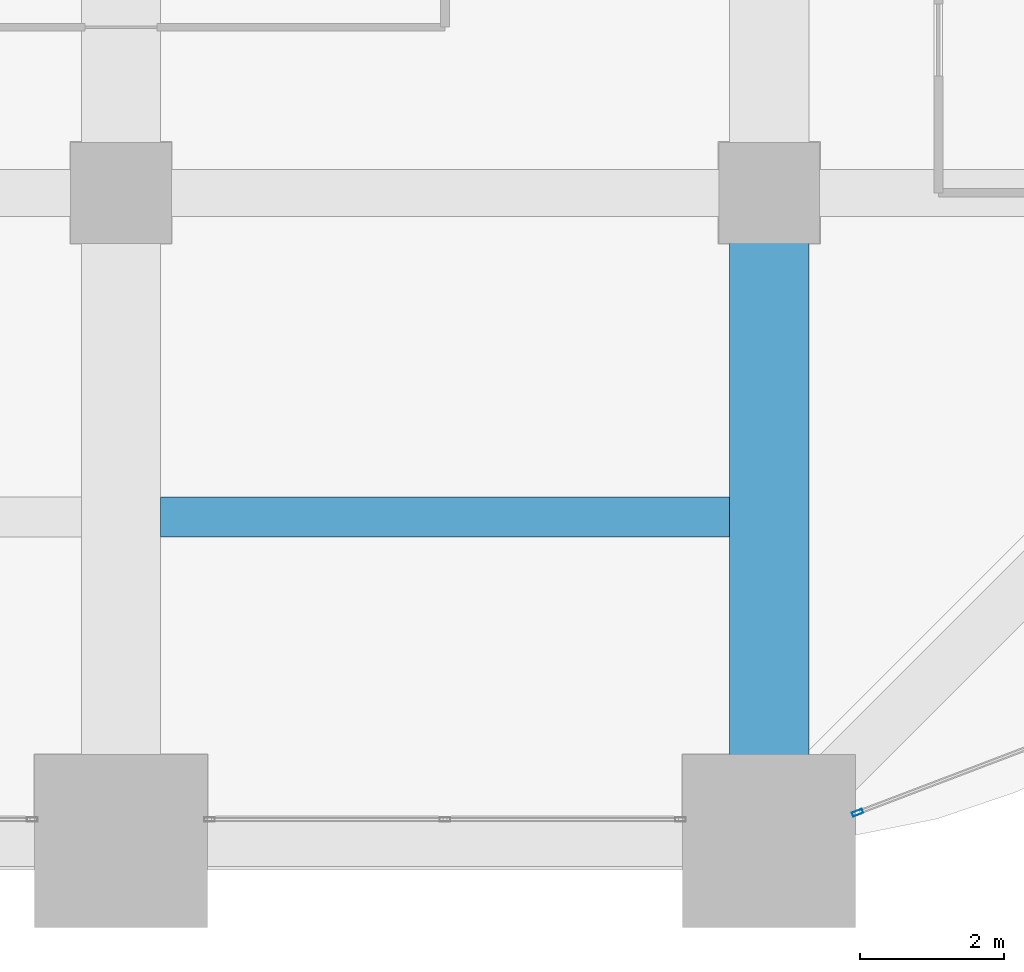
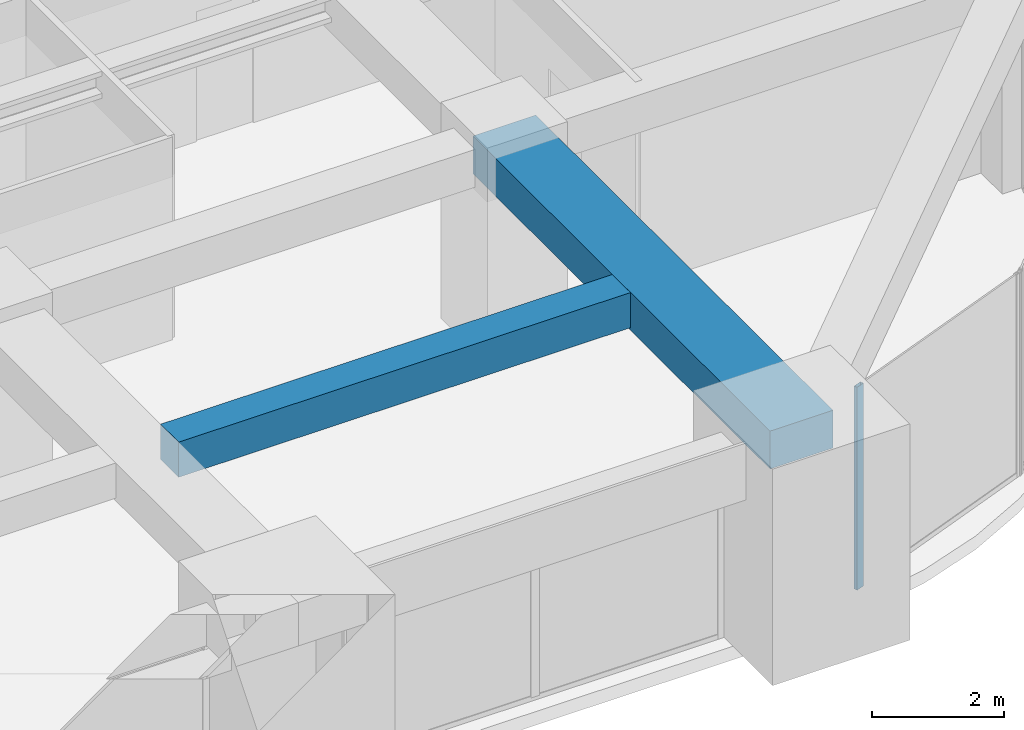
# One storey, part 14 of 32: 2 beams, 1 member, 1 element without a shape of its own.
"""IFC4 building model written with IfcOpenShell, lengths in metres."""

from ifc_helpers import new_model, si_unit, direction, frame, origin, origin_2d, place, context, subcontext, project, spatial, rectangle, hollow_rectangle, extrude, material, material_profile, profile_set, type_object, element, aggregate, save


model = new_model("IFC4")

# Units and contexts
model_context = context("Model", 3, precision=1e-05, world=origin(), true_north=direction((0.0, 1.0)))
body_context = subcontext(model_context, "Body", "Model", "MODEL_VIEW")
ifc_project = project(units=[si_unit("LENGTHUNIT", "METRE"), si_unit("AREAUNIT", "SQUARE_METRE"), si_unit("VOLUMEUNIT", "CUBIC_METRE"), si_unit("PLANEANGLEUNIT", "RADIAN"), si_unit("MASSUNIT", "GRAM", prefix="KILO")], contexts=[model_context])

# Site, building, storey
site_placement = place(None, origin())
site = spatial("IfcSite", under=ifc_project, at=site_placement, CompositionType="ELEMENT")
building_placement = place(site_placement, origin())
building = spatial("IfcBuilding", under=site, at=building_placement, Name="Zorevar Civic Tower", CompositionType="ELEMENT")
storey_placement = place(building_placement, frame((0.0, 0.0, 202.199951171875)))
storey = spatial("IfcBuildingStorey", under=building, at=storey_placement, Name="L49", CompositionType="ELEMENT", Elevation=202.199951171875)

# Beams
ifc_material_1 = material(Name="Concrete C50/60", Category="concrete")
ifc_material_profile_1 = material_profile(ifc_material_1, rectangle(XDim=1.10009765625, YDim=0.699951171875, at=origin_2d()), Name="RC 1100x700")
ifc_profile_set_1 = profile_set([ifc_material_profile_1], Name="Concrete C50/60")
beam_type_1 = type_object("IfcBeamType", Name="Beam RC 1100x700", PredefinedType="BEAM", material=ifc_profile_set_1)
beam_1_placement = place(storey_placement, frame((45.0, 0.0, 3.400146484375), z_axis=(0.0, 1.0, 0.0), x_axis=(-1.0, 0.0, 0.0)))
element("IfcBeam", 1, at=beam_1_placement, inside=storey, type_object=beam_type_1, Name="Girder L50", PredefinedType="BEAM", context=body_context, shape_type="SweptSolid", body=[
    extrude(rectangle(XDim=1.10009765625, YDim=0.699951171875, at=origin_2d()), origin(), (0.0, 0.0, 1.0), 9.0),
])
ifc_material_2 = material(Name="Concrete C50/60", Category="concrete")
ifc_material_profile_2 = material_profile(ifc_material_2, rectangle(XDim=0.550048828125, YDim=0.64990234375, at=origin_2d()), Name="RC 550x650")
ifc_profile_set_2 = profile_set([ifc_material_profile_2], Name="Concrete C50/60")
beam_type_2 = type_object("IfcBeamType", Name="Beam RC 550x650", PredefinedType="BEAM", material=ifc_profile_set_2)
beam_2_placement = place(storey_placement, frame((36.550048828125, 4.5, 3.425048828125), z_axis=(1.0, 0.0, 0.0), x_axis=(0.0, 1.0, 0.0)))
element("IfcBeam", 2, at=beam_2_placement, inside=storey, type_object=beam_type_2, Name="Secondary beam L50", PredefinedType="BEAM", context=body_context, shape_type="SweptSolid", body=[
    extrude(rectangle(XDim=0.550048828125, YDim=0.64990234375, at=origin_2d()), origin(), (0.0, 0.0, 1.0), 7.89990234375),
])

# Curtain wall, member
ifc_material_3 = material(Name="Dark grey solar-control glass in black aluminium frame", Category="aluminium")
curtain_wall_type = type_object("IfcCurtainWallType", Name="Curtain wall CW4 high zone", PredefinedType="NOTDEFINED", material=ifc_material_3)
curtain_wall_placement = place(storey_placement, origin())
curtain_wall = element("IfcCurtainWall", 3, at=curtain_wall_placement, inside=storey, type_object=curtain_wall_type, Name="CW4 L49", PredefinedType="NOTDEFINED")
ifc_material_4 = material(Name="Aluminium, black anodised", Category="aluminium")
ifc_material_profile_3 = material_profile(ifc_material_4, hollow_rectangle(XDim=0.06005859375, YDim=0.14990234375, WallThickness=0.00390625, at=origin_2d()), Name="AL 150x60x4")
ifc_profile_set_3 = profile_set([ifc_material_profile_3], Name="Aluminium, black anodised")
member_type = type_object("IfcMemberType", Name="CW4 mullion AL 150x60x4", PredefinedType="MULLION", material=ifc_profile_set_3)
member_placement = place(storey_placement, frame((46.22802734375, 0.393798828125, 0.0), z_axis=(0.0, 0.0, 1.0), x_axis=(-0.355730895803, 0.93458842801, 0.0)))
member = element("IfcMember", 4, at=member_placement, type_object=member_type, Name="CW4 mullion 1", PredefinedType="MULLION", context=body_context, shape_type="SweptSolid", body=[
    extrude(hollow_rectangle(XDim=0.06005859375, YDim=0.14990234375, WallThickness=0.00390625, at=origin_2d()), origin(), (0.0, 0.0, 1.0), 3.75),
])
aggregate(curtain_wall, [member])

save(model, "model.ifc")
